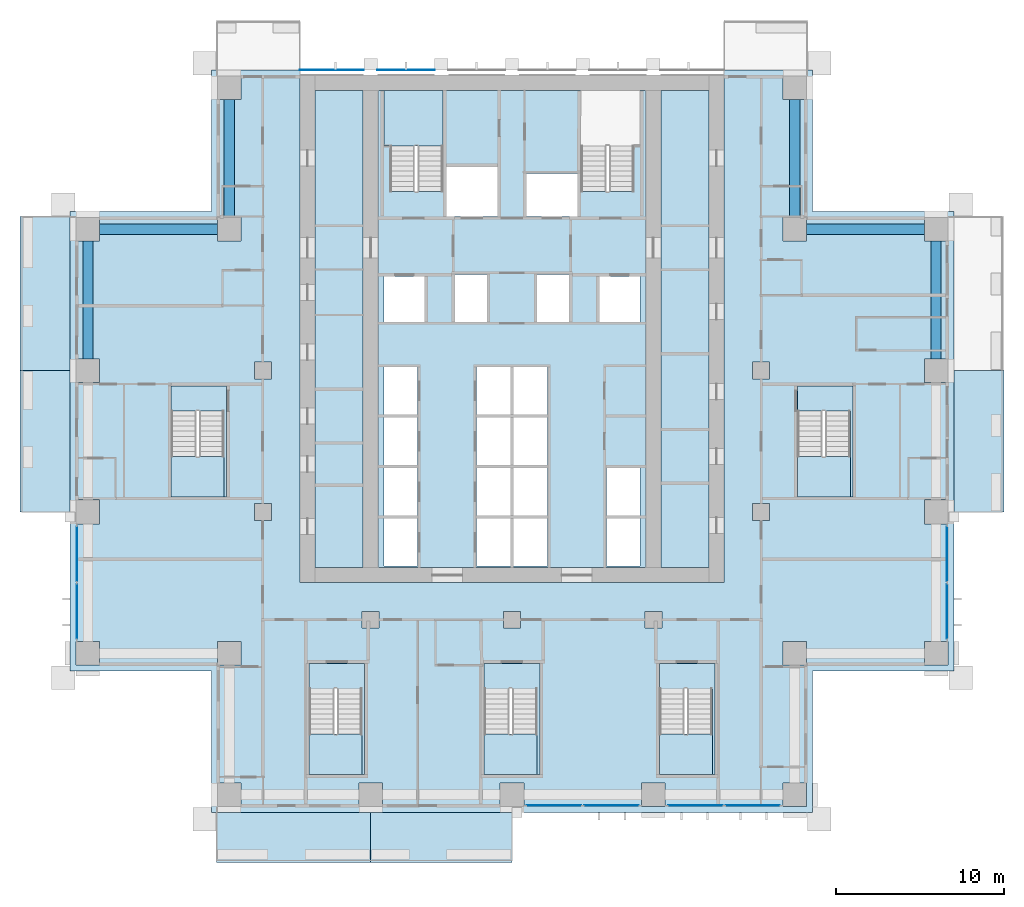
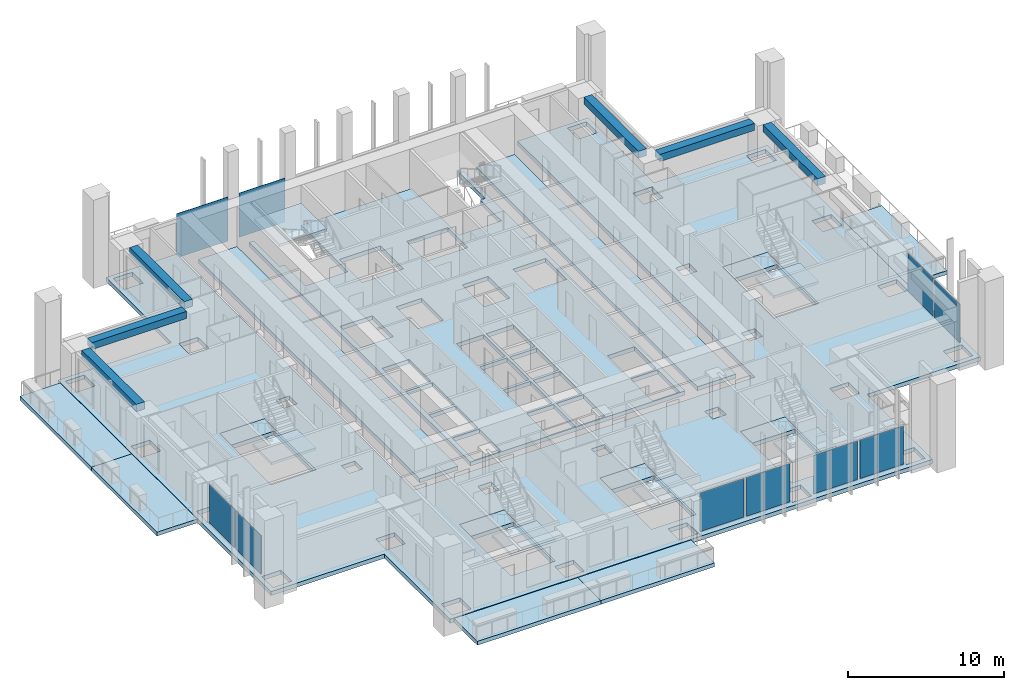
# One storey, part 5 of 18: 20 slabs, 10 plates, 6 beams, 10 elements without a shape of their own.
"""IFC4 building model written with IfcOpenShell, lengths in metres."""

from ifc_helpers import new_model, si_unit, direction, frame, origin, origin_2d, place, context, subcontext, project, spatial, polyline, rectangle, outline, extrude, material, layer, layer_set, material_profile, profile_set, type_object, element, aggregate, save


model = new_model("IFC4")

# Units and contexts
model_context = context("Model", 3, precision=1e-05, world=origin(), true_north=direction((0.0, 1.0)))
body_context = subcontext(model_context, "Body", "Model", "MODEL_VIEW")
ifc_project = project(units=[si_unit("LENGTHUNIT", "METRE"), si_unit("AREAUNIT", "SQUARE_METRE"), si_unit("VOLUMEUNIT", "CUBIC_METRE"), si_unit("PLANEANGLEUNIT", "RADIAN"), si_unit("MASSUNIT", "GRAM", prefix="KILO")], contexts=[model_context])

# Site, building, storey
site_placement = place(None, origin())
site = spatial("IfcSite", under=ifc_project, at=site_placement, CompositionType="ELEMENT")
building_placement = place(site_placement, origin())
building = spatial("IfcBuilding", under=site, at=building_placement, Name="Vermilion Ogive Tower", CompositionType="ELEMENT")
storey_placement = place(building_placement, frame((0.0, 0.0, 55.199951171875)))
storey = spatial("IfcBuildingStorey", under=building, at=storey_placement, Name="L12", CompositionType="ELEMENT", Elevation=55.199951171875)

# Beams
ifc_material_1 = material(Name="Concrete B45", Category="concrete")
ifc_material_profile = material_profile(ifc_material_1, rectangle(XDim=0.60009765625, YDim=0.550048828125, at=origin_2d()), Name="600 x 550")
ifc_profile_set = profile_set([ifc_material_profile], Name="Concrete B45")
beam_type = type_object("IfcBeamType", Name="Edge beam 600 x 550 B45", PredefinedType="BEAM", material=ifc_profile_set)
for number, where, z_axis, x_axis, name in (
    (1, (25.199951171875, 4.89990234375, 2.85498046875), (0.0, 1.0, 0.0), (-1.0, 0.0, 0.0), "L12-EB-9"),
    (2, (24.5, 12.60009765625, 2.85498046875), (-1.0, 0.0, 0.0), (0.0, -1.0, 0.0), "L12-EB-10"),
    (3, (16.800048828125, 13.300048828125, 2.85498046875), (0.0, 1.0, 0.0), (-1.0, 0.0, 0.0), "L12-EB-11"),
    (4, (-16.800048828125, 20.300048828125, 2.85498046875), (0.0, -1.0, 0.0), (1.0, 0.0, 0.0), "L12-EB-12"),
    (5, (-17.5, 12.60009765625, 2.85498046875), (-1.0, 0.0, 0.0), (0.0, -1.0, 0.0), "L12-EB-13"),
    (6, (-25.199951171875, 11.89990234375, 2.85498046875), (0.0, -1.0, 0.0), (1.0, 0.0, 0.0), "L12-EB-14"),
):
    element("IfcBeam", number, at=place(storey_placement, frame(where, z_axis=z_axis, x_axis=x_axis)), inside=storey, type_object=beam_type, Name=name, PredefinedType="BEAM", context=body_context, shape_type="SweptSolid", body=[
        extrude(rectangle(XDim=0.60009765625, YDim=0.550048828125, at=origin_2d()), origin(), (0.0, 0.0, 1.0), 7.0),
    ])

# Slabs
ifc_material_2 = material(Name="Concrete B40", Category="concrete")
ifc_layer_1 = layer(ifc_material_2, 0.300048828125)
ifc_layer_set_1 = layer_set([ifc_layer_1], Name="Balcony slab")
slab_type_1 = type_object("IfcSlabType", Name="Balcony slab", PredefinedType="FLOOR", material=ifc_layer_set_1)
slab_1_placement = place(storey_placement, frame((0.0, 0.0, -0.33984375)))
element("IfcSlab", 7, at=slab_1_placement, inside=storey, type_object=slab_type_1, Name="Balcony slab S01", PredefinedType="FLOOR", context=body_context, shape_type="SweptSolid", body=[
    extrude(outline(polyline([(-17.550048828125, -25.030029296875), (-8.39990234375, -25.030029296875), (-8.39990234375, -22.050048828125), (-17.550048828125, -22.050048828125), (-17.550048828125, -25.030029296875)])), origin(), (0.0, 0.0, 1.0), 0.2998046875),
])
slab_2_placement = place(storey_placement, frame((0.0, 0.0, -0.33984375)))
element("IfcSlab", 8, at=slab_2_placement, inside=storey, type_object=slab_type_1, Name="Balcony slab S02", PredefinedType="FLOOR", context=body_context, shape_type="SweptSolid", body=[
    extrude(outline(polyline([(-8.39990234375, -25.030029296875), (0.0, -25.030029296875), (0.0, -22.050048828125), (-8.39990234375, -22.050048828125), (-8.39990234375, -25.030029296875)])), origin(), (0.0, 0.0, 1.0), 0.2998046875),
])
slab_3_placement = place(storey_placement, frame((0.0, 0.0, -0.33984375)))
element("IfcSlab", 9, at=slab_3_placement, inside=storey, type_object=slab_type_1, Name="Balcony slab E02", PredefinedType="FLOOR", context=body_context, shape_type="SweptSolid", body=[
    extrude(outline(polyline([(29.22998046875, -4.199951171875), (29.22998046875, 4.199951171875), (26.25, 4.199951171875), (26.25, -4.199951171875), (29.22998046875, -4.199951171875)])), origin(), (0.0, 0.0, 1.0), 0.2998046875),
])
slab_4_placement = place(storey_placement, frame((0.0, 0.0, -0.33984375)))
element("IfcSlab", 10, at=slab_4_placement, inside=storey, type_object=slab_type_1, Name="Balcony slab W01", PredefinedType="FLOOR", context=body_context, shape_type="SweptSolid", body=[
    extrude(outline(polyline([(-29.22998046875, 13.35009765625), (-29.22998046875, 4.199951171875), (-26.25, 4.199951171875), (-26.25, 13.35009765625), (-29.22998046875, 13.35009765625)])), origin(), (0.0, 0.0, 1.0), 0.2998046875),
])
slab_5_placement = place(storey_placement, frame((0.0, 0.0, -0.33984375)))
element("IfcSlab", 11, at=slab_5_placement, inside=storey, type_object=slab_type_1, Name="Balcony slab W02", PredefinedType="FLOOR", context=body_context, shape_type="SweptSolid", body=[
    extrude(outline(polyline([(-29.22998046875, 4.199951171875), (-29.22998046875, -4.199951171875), (-26.25, -4.199951171875), (-26.25, 4.199951171875), (-29.22998046875, 4.199951171875)])), origin(), (0.0, 0.0, 1.0), 0.2998046875),
])

# Curtain wall, plates
ifc_material_3 = material(Name="Low-iron laminated glazing in aluminium frame", Category="aluminium")
curtain_wall_type = type_object("IfcCurtainWallType", Name="Curtain wall CW7", PredefinedType="NOTDEFINED", material=ifc_material_3)
curtain_wall_1_placement = place(storey_placement, origin())
curtain_wall_1 = element("IfcCurtainWall", 12, at=curtain_wall_1_placement, inside=storey, type_object=curtain_wall_type, Name="Glazed skin S3", PredefinedType="NOTDEFINED")
ifc_material_4 = material(Name="Low-iron laminated glazing in aluminium frame", Category="aluminium")
ifc_layer_2 = layer(ifc_material_4, 0.031982421875)
ifc_layer_set_2 = layer_set([ifc_layer_2], Name="CW7 glazing panel 32")
plate_type_1 = type_object("IfcPlateType", Name="CW7 glazing panel 32", PredefinedType="CURTAIN_PANEL", material=ifc_layer_set_2)
plate_1_placement = place(storey_placement, frame((2.4951171875, -21.64990234375, 0.06005859375), z_axis=(0.0, 0.0, 1.0), x_axis=(1.0, 0.0, 0.0)))
plate_1 = element("IfcPlate", 13, at=plate_1_placement, type_object=plate_type_1, Name="CW7-S3 panel 1.1", PredefinedType="CURTAIN_PANEL", context=body_context, shape_type="SweptSolid", body=[
    extrude(rectangle(XDim=3.22998046875, YDim=0.031982421875, at=origin_2d()), origin(), (0.0, 0.0, 1.0), 3.010009765625),
])
plate_2_placement = place(storey_placement, frame((5.905029296875, -21.64990234375, 0.06005859375), z_axis=(0.0, 0.0, 1.0), x_axis=(1.0, 0.0, 0.0)))
plate_2 = element("IfcPlate", 14, at=plate_2_placement, type_object=plate_type_1, Name="CW7-S3 panel 2.1", PredefinedType="CURTAIN_PANEL", context=body_context, shape_type="SweptSolid", body=[
    extrude(rectangle(XDim=3.22998046875, YDim=0.031982421875, at=origin_2d()), origin(), (0.0, 0.0, 1.0), 3.010009765625),
])
aggregate(curtain_wall_1, [plate_1, plate_2])

curtain_wall_2_placement = place(storey_placement, origin())
curtain_wall_2 = element("IfcCurtainWall", 15, at=curtain_wall_2_placement, inside=storey, type_object=curtain_wall_type, Name="Glazed skin S4", PredefinedType="NOTDEFINED")
plate_3_placement = place(storey_placement, frame((10.89501953125, -21.64990234375, 0.06005859375), z_axis=(0.0, 0.0, 1.0), x_axis=(1.0, 0.0, 0.0)))
plate_3 = element("IfcPlate", 16, at=plate_3_placement, type_object=plate_type_1, Name="CW7-S4 panel 1.1", PredefinedType="CURTAIN_PANEL", context=body_context, shape_type="SweptSolid", body=[
    extrude(rectangle(XDim=3.22998046875, YDim=0.031982421875, at=origin_2d()), origin(), (0.0, 0.0, 1.0), 3.010009765625),
])
plate_4_placement = place(storey_placement, frame((14.304931640625, -21.64990234375, 0.06005859375), z_axis=(0.0, 0.0, 1.0), x_axis=(1.0, 0.0, 0.0)))
plate_4 = element("IfcPlate", 17, at=plate_4_placement, type_object=plate_type_1, Name="CW7-S4 panel 2.1", PredefinedType="CURTAIN_PANEL", context=body_context, shape_type="SweptSolid", body=[
    extrude(rectangle(XDim=3.22998046875, YDim=0.031982421875, at=origin_2d()), origin(), (0.0, 0.0, 1.0), 3.010009765625),
])
aggregate(curtain_wall_2, [plate_3, plate_4])

curtain_wall_3_placement = place(storey_placement, origin())
curtain_wall_3 = element("IfcCurtainWall", 18, at=curtain_wall_3_placement, inside=storey, type_object=curtain_wall_type, Name="Glazed skin E1", PredefinedType="NOTDEFINED")
plate_5_placement = place(storey_placement, frame((25.85009765625, -10.10498046875, 0.06005859375), z_axis=(0.0, 0.0, 1.0), x_axis=(0.0, 1.0, 0.0)))
plate_5 = element("IfcPlate", 19, at=plate_5_placement, type_object=plate_type_1, Name="CW7-E1 panel 1.1", PredefinedType="CURTAIN_PANEL", context=body_context, shape_type="SweptSolid", body=[
    extrude(rectangle(XDim=3.22998046875, YDim=0.031982421875, at=origin_2d()), origin(), (0.0, 0.0, 1.0), 3.010009765625),
])
plate_6_placement = place(storey_placement, frame((25.85009765625, -6.695068359375, 0.06005859375), z_axis=(0.0, 0.0, 1.0), x_axis=(0.0, 1.0, 0.0)))
plate_6 = element("IfcPlate", 20, at=plate_6_placement, type_object=plate_type_1, Name="CW7-E1 panel 2.1", PredefinedType="CURTAIN_PANEL", context=body_context, shape_type="SweptSolid", body=[
    extrude(rectangle(XDim=3.22998046875, YDim=0.031982421875, at=origin_2d()), origin(), (0.0, 0.0, 1.0), 3.010009765625),
])
aggregate(curtain_wall_3, [plate_5, plate_6])

curtain_wall_4_placement = place(storey_placement, origin())
curtain_wall_4 = element("IfcCurtainWall", 21, at=curtain_wall_4_placement, inside=storey, type_object=curtain_wall_type, Name="Glazed skin W3", PredefinedType="NOTDEFINED")
plate_7_placement = place(storey_placement, frame((-25.85009765625, -6.695068359375, 0.06005859375), z_axis=(0.0, 0.0, 1.0), x_axis=(0.0, -1.0, 0.0)))
plate_7 = element("IfcPlate", 22, at=plate_7_placement, type_object=plate_type_1, Name="CW7-W3 panel 1.1", PredefinedType="CURTAIN_PANEL", context=body_context, shape_type="SweptSolid", body=[
    extrude(rectangle(XDim=3.22998046875, YDim=0.031982421875, at=origin_2d()), origin(), (0.0, 0.0, 1.0), 3.010009765625),
])
plate_8_placement = place(storey_placement, frame((-25.85009765625, -10.10498046875, 0.06005859375), z_axis=(0.0, 0.0, 1.0), x_axis=(0.0, -1.0, 0.0)))
plate_8 = element("IfcPlate", 23, at=plate_8_placement, type_object=plate_type_1, Name="CW7-W3 panel 2.1", PredefinedType="CURTAIN_PANEL", context=body_context, shape_type="SweptSolid", body=[
    extrude(rectangle(XDim=3.22998046875, YDim=0.031982421875, at=origin_2d()), origin(), (0.0, 0.0, 1.0), 3.010009765625),
])
aggregate(curtain_wall_4, [plate_7, plate_8])

# Slabs
ifc_material_5 = material(Name="Concrete B40", Category="concrete")
ifc_layer_3 = layer(ifc_material_5, 0.320068359375)
ifc_layer_set_3 = layer_set([ifc_layer_3], Name="Core floor slab 320 B40")
slab_type_2 = type_object("IfcSlabType", Name="Core floor slab 320 B40", PredefinedType="FLOOR", material=ifc_layer_set_3)
slab_6_placement = place(storey_placement, frame((0.0, 0.0, -0.320068359375)))
element("IfcSlab", 24, at=slab_6_placement, inside=storey, type_object=slab_type_2, Name="L12-CK-FS1", PredefinedType="FLOOR", context=body_context, shape_type="SweptSolid", body=[
    extrude(outline(polyline([(-8.85400390625, -7.49609375), (-11.696044921875, -7.49609375), (-11.696044921875, 20.845947265625), (-8.85400390625, 20.845947265625), (-8.85400390625, -7.49609375)])), origin(), (0.0, 0.0, 1.0), 0.320068359375),
])
slab_7_placement = place(storey_placement, frame((0.0, 0.0, -0.320068359375)))
element("IfcSlab", 25, at=slab_7_placement, inside=storey, type_object=slab_type_2, Name="L12-CK-FS2", PredefinedType="FLOOR", context=body_context, shape_type="SweptSolid", body=[
    extrude(outline(polyline([(5.75, 14.85009765625), (5.60009765625, 14.85009765625), (5.60009765625, 14.85205078125), (4.10009765625, 14.85205078125), (4.10009765625, 17.550048828125), (4.074951171875, 17.550048828125), (4.074951171875, 20.845947265625), (-4.10009765625, 20.845947265625), (-4.10009765625, 14.85205078125), (-5.60009765625, 14.85205078125), (-5.60009765625, 14.85009765625), (-5.75, 14.85009765625), (-5.75, 14.85205078125), (-7.25, 14.85205078125), (-7.25, 17.550048828125), (-7.60009765625, 17.550048828125), (-7.60009765625, 20.845947265625), (-7.946044921875, 20.845947265625), (-7.946044921875, -7.49609375), (7.946044921875, -7.49609375), (7.946044921875, 20.845947265625), (7.60009765625, 20.845947265625), (7.60009765625, 17.550048828125), (7.25, 17.550048828125), (7.25, 14.85205078125), (5.75, 14.85205078125), (5.75, 14.85009765625)]), holes=[polyline([(-7.60009765625, -4.60009765625), (-5.60009765625, -4.60009765625), (-5.60009765625, -7.39990234375), (-7.60009765625, -7.39990234375), (-7.60009765625, -4.60009765625)]), polyline([(-2.10009765625, -4.60009765625), (-0.10009765625, -4.60009765625), (-0.10009765625, -7.39990234375), (-2.10009765625, -7.39990234375), (-2.10009765625, -4.60009765625)]), polyline([(-7.60009765625, -4.39990234375), (-7.60009765625, -1.60009765625), (-5.60009765625, -1.60009765625), (-5.60009765625, -4.39990234375), (-7.60009765625, -4.39990234375)]), polyline([(-2.10009765625, -1.60009765625), (-0.10009765625, -1.60009765625), (-0.10009765625, -4.39990234375), (-2.10009765625, -4.39990234375), (-2.10009765625, -1.60009765625)]), polyline([(-7.60009765625, -1.39990234375), (-7.60009765625, 1.39990234375), (-5.60009765625, 1.39990234375), (-5.60009765625, -1.39990234375), (-7.60009765625, -1.39990234375)]), polyline([(-2.10009765625, 1.39990234375), (-0.10009765625, 1.39990234375), (-0.10009765625, -1.39990234375), (-2.10009765625, -1.39990234375), (-2.10009765625, 1.39990234375)]), polyline([(-7.60009765625, 4.39990234375), (-5.60009765625, 4.39990234375), (-5.60009765625, 1.60009765625), (-7.60009765625, 1.60009765625), (-7.60009765625, 4.39990234375)]), polyline([(-2.10009765625, 4.39990234375), (-0.10009765625, 4.39990234375), (-0.10009765625, 1.60009765625), (-2.10009765625, 1.60009765625), (-2.10009765625, 4.39990234375)]), polyline([(-7.60009765625, 9.800048828125), (-5.199951171875, 9.800048828125), (-5.199951171875, 7.10009765625), (-7.60009765625, 7.10009765625), (-7.60009765625, 9.800048828125)]), polyline([(-3.39990234375, 9.89990234375), (-1.5, 9.89990234375), (-1.5, 7.10009765625), (-3.39990234375, 7.10009765625), (-3.39990234375, 9.89990234375)]), polyline([(-3.89990234375, 16.300048828125), (-0.85009765625, 16.300048828125), (-0.85009765625, 13.35009765625), (-3.89990234375, 13.35009765625), (-3.89990234375, 16.300048828125)]), polyline([(0.10009765625, -4.60009765625), (2.10009765625, -4.60009765625), (2.10009765625, -7.39990234375), (0.10009765625, -7.39990234375), (0.10009765625, -4.60009765625)]), polyline([(5.60009765625, -4.60009765625), (7.60009765625, -4.60009765625), (7.60009765625, -7.39990234375), (5.60009765625, -7.39990234375), (5.60009765625, -4.60009765625)]), polyline([(0.10009765625, -1.60009765625), (2.10009765625, -1.60009765625), (2.10009765625, -4.39990234375), (0.10009765625, -4.39990234375), (0.10009765625, -1.60009765625)]), polyline([(5.60009765625, -1.60009765625), (7.60009765625, -1.60009765625), (7.60009765625, -4.39990234375), (5.60009765625, -4.39990234375), (5.60009765625, -1.60009765625)]), polyline([(0.10009765625, 1.39990234375), (2.10009765625, 1.39990234375), (2.10009765625, -1.39990234375), (0.10009765625, -1.39990234375), (0.10009765625, 1.39990234375)]), polyline([(0.10009765625, 4.39990234375), (2.10009765625, 4.39990234375), (2.10009765625, 1.60009765625), (0.10009765625, 1.60009765625), (0.10009765625, 4.39990234375)]), polyline([(5.199951171875, 9.800048828125), (7.60009765625, 9.800048828125), (7.60009765625, 7.10009765625), (5.199951171875, 7.10009765625), (5.199951171875, 9.800048828125)]), polyline([(1.5, 9.89990234375), (3.39990234375, 9.89990234375), (3.39990234375, 7.10009765625), (1.5, 7.10009765625), (1.5, 9.89990234375)]), polyline([(0.85009765625, 15.89990234375), (3.89990234375, 15.89990234375), (3.89990234375, 13.35009765625), (0.85009765625, 13.35009765625), (0.85009765625, 15.89990234375)])]), origin(), (0.0, 0.0, 1.0), 0.320068359375),
])
slab_8_placement = place(storey_placement, frame((0.0, 0.0, -0.320068359375)))
element("IfcSlab", 26, at=slab_8_placement, inside=storey, type_object=slab_type_2, Name="L12-CK-FS3", PredefinedType="FLOOR", context=body_context, shape_type="SweptSolid", body=[
    extrude(outline(polyline([(8.85400390625, 20.845947265625), (11.696044921875, 20.845947265625), (11.696044921875, -7.49609375), (8.85400390625, -7.49609375), (8.85400390625, 20.845947265625)])), origin(), (0.0, 0.0, 1.0), 0.320068359375),
])
slab_9_placement = place(storey_placement, frame((0.0, 0.0, -0.320068359375)))
element("IfcSlab", 27, at=slab_9_placement, inside=storey, type_object=slab_type_2, Name="L12-SF-ST3-1", PredefinedType="FLOOR", context=body_context, shape_type="SweptSolid", body=[
    extrude(outline(polyline([(-12.050048828125, -13.199951171875), (-12.050048828125, -14.701904296875), (-10.550048828125, -14.701904296875), (-10.550048828125, -14.699951171875), (-10.39990234375, -14.699951171875), (-10.39990234375, -14.701904296875), (-8.89990234375, -14.701904296875), (-8.89990234375, -19.800048828125), (-8.75, -19.800048828125), (-8.75, -13.199951171875), (-12.050048828125, -13.199951171875)])), origin(), (0.0, 0.0, 1.0), 0.320068359375),
])
slab_10_placement = place(storey_placement, frame((0.0, 0.0, -0.320068359375)))
element("IfcSlab", 28, at=slab_10_placement, inside=storey, type_object=slab_type_2, Name="L12-SF-ST4-1", PredefinedType="FLOOR", context=body_context, shape_type="SweptSolid", body=[
    extrude(outline(polyline([(-1.64990234375, -13.199951171875), (-1.64990234375, -14.701904296875), (-0.14990234375, -14.701904296875), (-0.14990234375, -14.699951171875), (0.0, -14.699951171875), (0.0, -14.701904296875), (1.5, -14.701904296875), (1.5, -19.800048828125), (1.64990234375, -19.800048828125), (1.64990234375, -13.199951171875), (-1.64990234375, -13.199951171875)])), origin(), (0.0, 0.0, 1.0), 0.320068359375),
])
slab_11_placement = place(storey_placement, frame((0.0, 0.0, -0.320068359375)))
element("IfcSlab", 29, at=slab_11_placement, inside=storey, type_object=slab_type_2, Name="L12-SF-ST5-1", PredefinedType="FLOOR", context=body_context, shape_type="SweptSolid", body=[
    extrude(outline(polyline([(8.75, -13.199951171875), (8.75, -14.701904296875), (10.25, -14.701904296875), (10.25, -14.699951171875), (10.39990234375, -14.699951171875), (10.39990234375, -14.701904296875), (11.89990234375, -14.701904296875), (11.89990234375, -19.800048828125), (12.050048828125, -19.800048828125), (12.050048828125, -13.199951171875), (8.75, -13.199951171875)])), origin(), (0.0, 0.0, 1.0), 0.320068359375),
])
slab_12_placement = place(storey_placement, frame((0.0, 0.0, -0.320068359375)))
element("IfcSlab", 30, at=slab_12_placement, inside=storey, type_object=slab_type_2, Name="L12-SF-ST8-1", PredefinedType="FLOOR", context=body_context, shape_type="SweptSolid", body=[
    extrude(outline(polyline([(16.949951171875, 3.300048828125), (16.949951171875, 1.798095703125), (18.449951171875, 1.798095703125), (18.449951171875, 1.800048828125), (18.60009765625, 1.800048828125), (18.60009765625, 1.798095703125), (20.10009765625, 1.798095703125), (20.10009765625, -3.300048828125), (20.25, -3.300048828125), (20.25, 3.300048828125), (16.949951171875, 3.300048828125)])), origin(), (0.0, 0.0, 1.0), 0.320068359375),
])
slab_13_placement = place(storey_placement, frame((0.0, 0.0, -0.320068359375)))
element("IfcSlab", 31, at=slab_13_placement, inside=storey, type_object=slab_type_2, Name="L12-SF-ST9-1", PredefinedType="FLOOR", context=body_context, shape_type="SweptSolid", body=[
    extrude(outline(polyline([(-20.25, 3.300048828125), (-20.25, 1.798095703125), (-18.75, 1.798095703125), (-18.75, 1.800048828125), (-18.60009765625, 1.800048828125), (-18.60009765625, 1.798095703125), (-17.10009765625, 1.798095703125), (-17.10009765625, -3.300048828125), (-16.949951171875, -3.300048828125), (-16.949951171875, 3.300048828125), (-20.25, 3.300048828125)])), origin(), (0.0, 0.0, 1.0), 0.320068359375),
])

# Plates
ifc_material_6 = material(Name="Low-iron laminated glazing in aluminium frame", Category="aluminium")
ifc_layer_4 = layer(ifc_material_6, 0.031982421875)
ifc_layer_set_4 = layer_set([ifc_layer_4], Name="Glazed rainscreen sheet 32")
plate_type_2 = type_object("IfcPlateType", Name="Glazed rainscreen sheet 32", PredefinedType="SHEET", material=ifc_layer_set_4)
plate_9_placement = place(storey_placement, frame((-10.7099609375, 22.06591796875, -0.31982421875), z_axis=(0.0, 0.0, 1.0), x_axis=(1.0, 0.0, 0.0)))
element("IfcPlate", 32, at=plate_9_placement, inside=storey, type_object=plate_type_2, Name="Glazed rainscreen sheet N1", PredefinedType="SHEET", context=body_context, shape_type="SweptSolid", body=[
    extrude(rectangle(XDim=3.820068359375, YDim=0.031982421875, at=origin_2d()), origin(), (0.0, 0.0, 1.0), 3.449951171875),
])
plate_10_placement = place(storey_placement, frame((-6.300048828125, 22.06591796875, -0.31982421875), z_axis=(0.0, 0.0, 1.0), x_axis=(1.0, 0.0, 0.0)))
element("IfcPlate", 33, at=plate_10_placement, inside=storey, type_object=plate_type_2, Name="Glazed rainscreen sheet N2", PredefinedType="SHEET", context=body_context, shape_type="SweptSolid", body=[
    extrude(rectangle(XDim=3.39990234375, YDim=0.031982421875, at=origin_2d()), origin(), (0.0, 0.0, 1.0), 3.449951171875),
])

# Slab
ifc_material_7 = material(Name="Concrete B45", Category="concrete")
ifc_layer_5 = layer(ifc_material_7, 0.320068359375)
ifc_layer_set_5 = layer_set([ifc_layer_5], Name="Post-tensioned flat plate 320 B45")
slab_type_3 = type_object("IfcSlabType", Name="Post-tensioned flat plate 320 B45", PredefinedType="FLOOR", material=ifc_layer_set_5)
slab_14_placement = place(storey_placement, frame((0.0, 0.0, -0.320068359375)))
element("IfcSlab", 34, at=slab_14_placement, inside=storey, type_object=slab_type_3, Name="L12-SL-1", PredefinedType="FLOOR", context=body_context, shape_type="SweptSolid", body=[
    extrude(outline(polyline([(-26.25, -13.64990234375), (-17.85009765625, -13.64990234375), (-17.85009765625, -22.050048828125), (17.85009765625, -22.050048828125), (17.85009765625, -13.64990234375), (26.25, -13.64990234375), (26.25, 13.64990234375), (17.85009765625, 13.64990234375), (17.85009765625, 22.050048828125), (12.60009765625, 22.050048828125), (12.60009765625, -8.39990234375), (-12.60009765625, -8.39990234375), (-12.60009765625, 22.050048828125), (-17.85009765625, 22.050048828125), (-17.85009765625, 13.64990234375), (-26.25, 13.64990234375), (-26.25, -13.64990234375)]), holes=[polyline([(25.89990234375, -3.5), (25.89990234375, -4.89990234375), (24.5, -4.89990234375), (24.5, -3.5), (25.89990234375, -3.5)]), polyline([(25.89990234375, -11.89990234375), (25.89990234375, -13.300048828125), (24.5, -13.300048828125), (24.5, -11.89990234375), (25.89990234375, -11.89990234375)]), polyline([(25.89990234375, 11.89990234375), (24.5, 11.89990234375), (24.5, 13.300048828125), (25.89990234375, 13.300048828125), (25.89990234375, 11.89990234375)]), polyline([(25.89990234375, 3.5), (24.5, 3.5), (24.5, 4.89990234375), (25.89990234375, 4.89990234375), (25.89990234375, 3.5)]), polyline([(20.25, 3.300048828125), (20.25, -3.300048828125), (16.949951171875, -3.300048828125), (16.949951171875, 3.300048828125), (20.25, 3.300048828125)]), polyline([(17.5, -11.89990234375), (17.5, -13.300048828125), (16.10009765625, -13.300048828125), (16.10009765625, -11.89990234375), (17.5, -11.89990234375)]), polyline([(17.5, 20.300048828125), (16.10009765625, 20.300048828125), (16.10009765625, 21.699951171875), (17.5, 21.699951171875), (17.5, 20.300048828125)]), polyline([(17.5, -20.300048828125), (17.5, -21.699951171875), (16.10009765625, -21.699951171875), (16.10009765625, -20.300048828125), (17.5, -20.300048828125)]), polyline([(17.5, 13.300048828125), (17.5, 11.89990234375), (16.10009765625, 11.89990234375), (16.10009765625, 13.300048828125), (17.5, 13.300048828125)]), polyline([(15.300048828125, 4.699951171875), (15.300048828125, 3.699951171875), (14.300048828125, 3.699951171875), (14.300048828125, 4.699951171875), (15.300048828125, 4.699951171875)]), polyline([(15.300048828125, -4.699951171875), (14.300048828125, -4.699951171875), (14.300048828125, -3.699951171875), (15.300048828125, -3.699951171875), (15.300048828125, -4.699951171875)]), polyline([(12.050048828125, -13.199951171875), (12.050048828125, -19.800048828125), (8.75, -19.800048828125), (8.75, -13.199951171875), (12.050048828125, -13.199951171875)]), polyline([(9.10009765625, -20.300048828125), (9.10009765625, -21.699951171875), (7.699951171875, -21.699951171875), (7.699951171875, -20.300048828125), (9.10009765625, -20.300048828125)]), polyline([(8.89990234375, -11.10009765625), (7.89990234375, -11.10009765625), (7.89990234375, -10.10009765625), (8.89990234375, -10.10009765625), (8.89990234375, -11.10009765625)]), polyline([(1.64990234375, -13.199951171875), (1.64990234375, -19.800048828125), (-1.64990234375, -19.800048828125), (-1.64990234375, -13.199951171875), (1.64990234375, -13.199951171875)]), polyline([(0.699951171875, -20.300048828125), (0.699951171875, -21.699951171875), (-0.699951171875, -21.699951171875), (-0.699951171875, -20.300048828125), (0.699951171875, -20.300048828125)]), polyline([(0.5, -10.10009765625), (0.5, -11.10009765625), (-0.5, -11.10009765625), (-0.5, -10.10009765625), (0.5, -10.10009765625)]), polyline([(-7.699951171875, -20.300048828125), (-7.699951171875, -21.699951171875), (-9.10009765625, -21.699951171875), (-9.10009765625, -20.300048828125), (-7.699951171875, -20.300048828125)]), polyline([(-7.89990234375, -10.10009765625), (-7.89990234375, -11.10009765625), (-8.89990234375, -11.10009765625), (-8.89990234375, -10.10009765625), (-7.89990234375, -10.10009765625)]), polyline([(-8.75, -13.199951171875), (-8.75, -19.800048828125), (-12.050048828125, -19.800048828125), (-12.050048828125, -13.199951171875), (-8.75, -13.199951171875)]), polyline([(-14.300048828125, 4.699951171875), (-14.300048828125, 3.699951171875), (-15.300048828125, 3.699951171875), (-15.300048828125, 4.699951171875), (-14.300048828125, 4.699951171875)]), polyline([(-14.300048828125, -4.699951171875), (-15.300048828125, -4.699951171875), (-15.300048828125, -3.699951171875), (-14.300048828125, -3.699951171875), (-14.300048828125, -4.699951171875)]), polyline([(-16.10009765625, 13.300048828125), (-16.10009765625, 11.89990234375), (-17.5, 11.89990234375), (-17.5, 13.300048828125), (-16.10009765625, 13.300048828125)]), polyline([(-16.10009765625, -11.89990234375), (-16.10009765625, -13.300048828125), (-17.5, -13.300048828125), (-17.5, -11.89990234375), (-16.10009765625, -11.89990234375)]), polyline([(-16.10009765625, -20.300048828125), (-16.10009765625, -21.699951171875), (-17.5, -21.699951171875), (-17.5, -20.300048828125), (-16.10009765625, -20.300048828125)]), polyline([(-16.10009765625, 20.300048828125), (-17.5, 20.300048828125), (-17.5, 21.699951171875), (-16.10009765625, 21.699951171875), (-16.10009765625, 20.300048828125)]), polyline([(-16.949951171875, 3.300048828125), (-16.949951171875, -3.300048828125), (-20.25, -3.300048828125), (-20.25, -3.2998046875), (-20.275146484375, -3.2998046875), (-20.275146484375, -0.89990234375), (-20.25, -0.89990234375), (-20.25, 3.300048828125), (-16.949951171875, 3.300048828125)]), polyline([(-24.5, 3.5), (-25.89990234375, 3.5), (-25.89990234375, 4.89990234375), (-24.5, 4.89990234375), (-24.5, 3.5)]), polyline([(-24.5, 13.300048828125), (-24.5, 11.89990234375), (-25.89990234375, 11.89990234375), (-25.89990234375, 13.300048828125), (-24.5, 13.300048828125)]), polyline([(-24.5, -3.5), (-24.5, -4.89990234375), (-25.89990234375, -4.89990234375), (-25.89990234375, -3.5), (-24.5, -3.5)]), polyline([(-24.5, -11.89990234375), (-24.5, -13.300048828125), (-25.89990234375, -13.300048828125), (-25.89990234375, -11.89990234375), (-24.5, -11.89990234375)])]), origin(), (0.0, 0.0, 1.0), 0.320068359375),
])

# Stair, slab
ifc_material_8 = material(Name="Concrete B40", Category="concrete")
stair_type = type_object("IfcStairType", Name="Exit stair 1500", PredefinedType="HALF_TURN_STAIR", material=ifc_material_8)
stair_1_placement = place(storey_placement, origin())
stair_1 = element("IfcStair", 35, at=stair_1_placement, inside=storey, type_object=stair_type, Name="L12 Exit Stair ST1", PredefinedType="HALF_TURN_STAIR")
ifc_material_9 = material(Name="Concrete B40", Category="concrete")
ifc_layer_6 = layer(ifc_material_9, 0.199951171875)
ifc_layer_set_6 = layer_set([ifc_layer_6], Name="Stair landing 200")
slab_type_4 = type_object("IfcSlabType", Name="Stair landing 200", PredefinedType="LANDING", material=ifc_layer_set_6)
slab_15_placement = place(storey_placement, frame((0.0, 0.0, 1.525146484375)))
slab_15 = element("IfcSlab", 36, at=slab_15_placement, type_object=slab_type_4, Name="ST1 landing 1", PredefinedType="LANDING", context=body_context, shape_type="SweptSolid", body=[
    extrude(outline(polyline([(-7.60009765625, 17.550048828125), (-7.25, 17.550048828125), (-7.25, 17.548095703125), (-5.75, 17.548095703125), (-5.75, 17.550048828125), (-5.60009765625, 17.550048828125), (-5.60009765625, 17.548095703125), (-4.10009765625, 17.548095703125), (-4.10009765625, 20.85009765625), (-7.60009765625, 20.85009765625), (-7.60009765625, 17.550048828125)])), origin(), (0.0, 0.0, 1.0), 0.199951171875),
])
aggregate(stair_1, [slab_15])

stair_2_placement = place(storey_placement, origin())
stair_2 = element("IfcStair", 37, at=stair_2_placement, inside=storey, type_object=stair_type, Name="L12 Exit Stair ST3", PredefinedType="HALF_TURN_STAIR")
slab_16_placement = place(storey_placement, frame((0.0, 0.0, 1.525146484375)))
slab_16 = element("IfcSlab", 38, at=slab_16_placement, type_object=slab_type_4, Name="ST3 landing 1", PredefinedType="LANDING", context=body_context, shape_type="SweptSolid", body=[
    extrude(outline(polyline([(-8.75, -17.39990234375), (-8.89990234375, -17.39990234375), (-8.89990234375, -17.39794921875), (-10.39990234375, -17.39794921875), (-10.39990234375, -17.39990234375), (-10.550048828125, -17.39990234375), (-10.550048828125, -17.39794921875), (-12.050048828125, -17.39794921875), (-12.050048828125, -17.402099609375), (-12.0498046875, -17.402099609375), (-12.0498046875, -19.7998046875), (-8.75, -19.7998046875), (-8.75, -17.39990234375)])), origin(), (0.0, 0.0, 1.0), 0.199951171875),
])
aggregate(stair_2, [slab_16])

stair_3_placement = place(storey_placement, origin())
stair_3 = element("IfcStair", 39, at=stair_3_placement, inside=storey, type_object=stair_type, Name="L12 Exit Stair ST4", PredefinedType="HALF_TURN_STAIR")
slab_17_placement = place(storey_placement, frame((0.0, 0.0, 1.525146484375)))
slab_17 = element("IfcSlab", 40, at=slab_17_placement, type_object=slab_type_4, Name="ST4 landing 1", PredefinedType="LANDING", context=body_context, shape_type="SweptSolid", body=[
    extrude(outline(polyline([(1.64990234375, -17.39990234375), (1.5, -17.39990234375), (1.5, -17.39794921875), (0.0, -17.39794921875), (0.0, -17.39990234375), (-0.14990234375, -17.39990234375), (-0.14990234375, -17.39794921875), (-1.64990234375, -17.39794921875), (-1.64990234375, -19.7998046875), (1.64990234375, -19.7998046875), (1.64990234375, -17.39990234375)])), origin(), (0.0, 0.0, 1.0), 0.199951171875),
])
aggregate(stair_3, [slab_17])

stair_4_placement = place(storey_placement, origin())
stair_4 = element("IfcStair", 41, at=stair_4_placement, inside=storey, type_object=stair_type, Name="L12 Exit Stair ST5", PredefinedType="HALF_TURN_STAIR")
slab_18_placement = place(storey_placement, frame((0.0, 0.0, 1.525146484375)))
slab_18 = element("IfcSlab", 42, at=slab_18_placement, type_object=slab_type_4, Name="ST5 landing 1", PredefinedType="LANDING", context=body_context, shape_type="SweptSolid", body=[
    extrude(outline(polyline([(12.0498046875, -17.39990234375), (11.89990234375, -17.39990234375), (11.89990234375, -17.39794921875), (10.39990234375, -17.39794921875), (10.39990234375, -17.39990234375), (10.25, -17.39990234375), (10.25, -17.39794921875), (8.75, -17.39794921875), (8.75, -17.39990234375), (8.75, -17.39990234375), (8.75, -19.7998046875), (12.0498046875, -19.7998046875), (12.0498046875, -17.39990234375)])), origin(), (0.0, 0.0, 1.0), 0.199951171875),
])
aggregate(stair_4, [slab_18])

stair_5_placement = place(storey_placement, origin())
stair_5 = element("IfcStair", 43, at=stair_5_placement, inside=storey, type_object=stair_type, Name="L12 Exit Stair ST8", PredefinedType="HALF_TURN_STAIR")
slab_19_placement = place(storey_placement, frame((0.0, 0.0, 1.525146484375)))
slab_19 = element("IfcSlab", 44, at=slab_19_placement, type_object=slab_type_4, Name="ST8 landing 1", PredefinedType="LANDING", context=body_context, shape_type="SweptSolid", body=[
    extrude(outline(polyline([(20.25, -0.89990234375), (20.10009765625, -0.89990234375), (20.10009765625, -0.89794921875), (18.60009765625, -0.89794921875), (18.60009765625, -0.89990234375), (18.449951171875, -0.89990234375), (18.449951171875, -0.89794921875), (16.949951171875, -0.89794921875), (16.949951171875, -0.902099609375), (16.9501953125, -0.902099609375), (16.9501953125, -3.2998046875), (20.25, -3.2998046875), (20.25, -0.89990234375)])), origin(), (0.0, 0.0, 1.0), 0.199951171875),
])
aggregate(stair_5, [slab_19])

stair_6_placement = place(storey_placement, origin())
stair_6 = element("IfcStair", 45, at=stair_6_placement, inside=storey, type_object=stair_type, Name="L12 Exit Stair ST9", PredefinedType="HALF_TURN_STAIR")
slab_20_placement = place(storey_placement, frame((0.0, 0.0, 1.525146484375)))
slab_20 = element("IfcSlab", 46, at=slab_20_placement, type_object=slab_type_4, Name="ST9 landing 1", PredefinedType="LANDING", context=body_context, shape_type="SweptSolid", body=[
    extrude(outline(polyline([(-16.9501953125, -0.89990234375), (-17.10009765625, -0.89990234375), (-17.10009765625, -0.89794921875), (-18.60009765625, -0.89794921875), (-18.60009765625, -0.89990234375), (-18.75, -0.89990234375), (-18.75, -0.89794921875), (-20.25, -0.89794921875), (-20.25, -0.89990234375), (-20.25, -0.89990234375), (-20.25, -3.2998046875), (-16.9501953125, -3.2998046875), (-16.9501953125, -0.89990234375)])), origin(), (0.0, 0.0, 1.0), 0.199951171875),
])
aggregate(stair_6, [slab_20])

save(model, "model.ifc")
